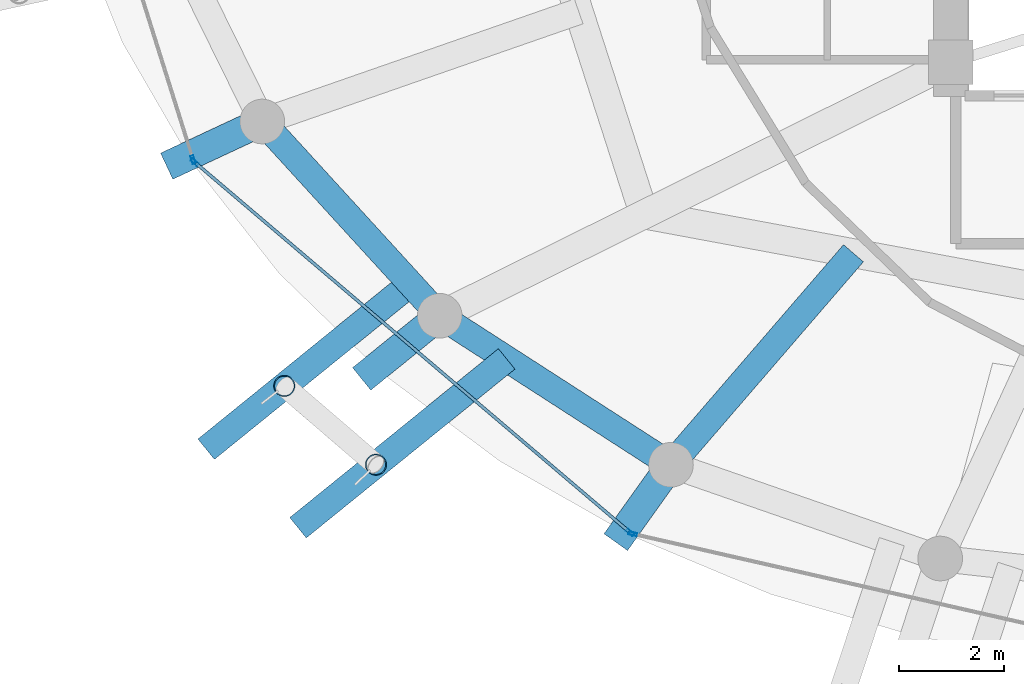
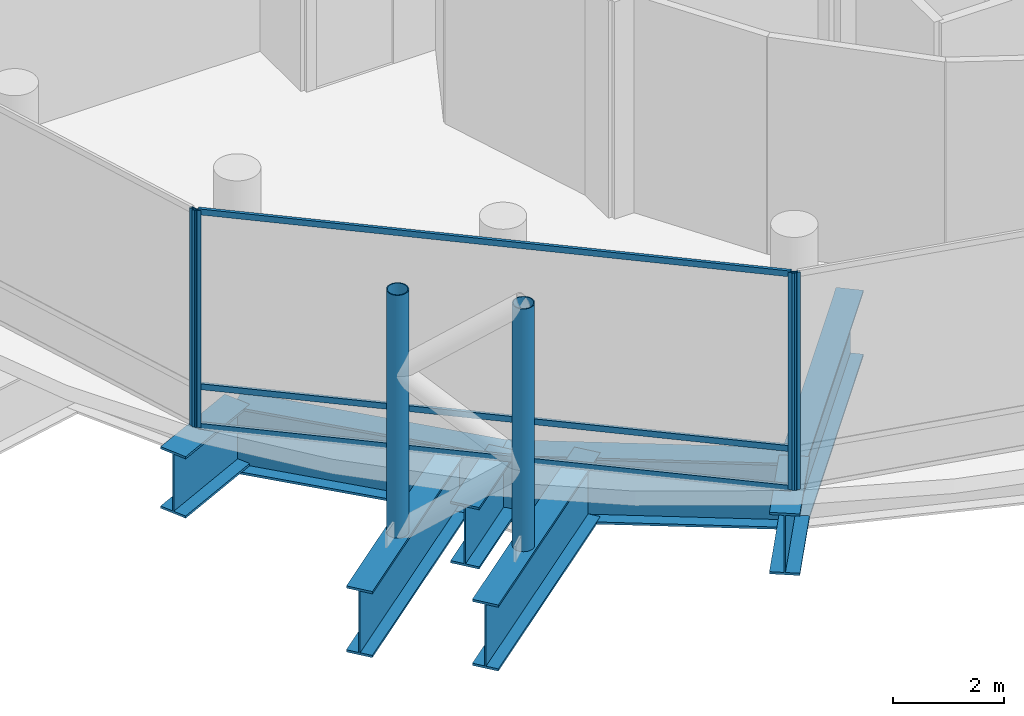
# One storey, part 2 of 31: 9 members, 8 beams, 3 elements without a shape of their own.
"""IFC4 building model written with IfcOpenShell, lengths in metres."""

from ifc_helpers import new_model, si_unit, direction, frame, origin, origin_2d, place, context, subcontext, project, spatial, hollow_rectangle, hollow_circle, i_section, extrude, material, layer, layer_set, material_profile, profile_set, type_object, element, aggregate, save


model = new_model("IFC4")

# Units and contexts
model_context = context("Model", 3, precision=1e-05, world=origin(), true_north=direction((0.0, 1.0)))
body_context = subcontext(model_context, "Body", "Model", "MODEL_VIEW")
ifc_project = project(units=[si_unit("LENGTHUNIT", "METRE"), si_unit("AREAUNIT", "SQUARE_METRE"), si_unit("VOLUMEUNIT", "CUBIC_METRE"), si_unit("PLANEANGLEUNIT", "RADIAN"), si_unit("MASSUNIT", "GRAM", prefix="KILO")], contexts=[model_context])

# Site, building, storey
site_placement = place(None, origin())
site = spatial("IfcSite", under=ifc_project, at=site_placement, CompositionType="ELEMENT")
building_placement = place(site_placement, origin())
building = spatial("IfcBuilding", under=site, at=building_placement, Name="Nuhasar Tower", CompositionType="ELEMENT")
storey_placement = place(building_placement, frame((0.0, 0.0, 203.14990234375)))
storey = spatial("IfcBuildingStorey", under=building, at=storey_placement, Name="L49", CompositionType="ELEMENT", Elevation=203.14990234375)

# Beams
ifc_material_1 = material(Name="Steel S460", Category="steel")
ifc_material_profile_1 = material_profile(ifc_material_1, i_section(OverallWidth=0.550048828125, OverallDepth=1.35009765625, WebThickness=0.028076171875, FlangeThickness=0.050048828125, at=origin_2d()), Name="PG1350X550")
ifc_profile_set_1 = profile_set([ifc_material_profile_1], Name="Steel S460")
beam_type_1 = type_object("IfcBeamType", Name="BM-XFER-PG1350", PredefinedType="USERDEFINED", material=ifc_profile_set_1)
beam_1_placement = place(storey_placement, frame((23.97412109375, 14.177978515625, -0.994873046875), z_axis=(-0.777328188004, -0.629095293366, 0.0), x_axis=(0.629095293366, -0.777328188004, 0.0)))
element("IfcBeam", 1, at=beam_1_placement, inside=storey, type_object=beam_type_1, Name="L49 Radial Step Transfer Girder 01", ObjectType="GIRDER", PredefinedType="USERDEFINED", context=body_context, shape_type="SweptSolid", body=[
    extrude(i_section(OverallWidth=0.550048828125, OverallDepth=1.35009765625, WebThickness=0.028076171875, FlangeThickness=0.050048828125, at=origin_2d()), origin(), (0.0, 0.0, 1.0), 1.91064453125),
])
beam_2_placement = place(storey_placement, frame((28.375, 11.341064453125, -0.994873046875), z_axis=(-0.580688888767, -0.814125552026, 0.0), x_axis=(0.814125552026, -0.580688888767, 0.0)))
element("IfcBeam", 2, at=beam_2_placement, inside=storey, type_object=beam_type_1, Name="L49 Outer Column Step Transfer Girder 17", ObjectType="GIRDER", PredefinedType="USERDEFINED", context=body_context, shape_type="SweptSolid", body=[
    extrude(i_section(OverallWidth=0.550048828125, OverallDepth=1.35009765625, WebThickness=0.028076171875, FlangeThickness=0.050048828125, at=origin_2d()), origin(), (0.0, 0.0, 1.0), 1.808349609375),
])
beam_3_placement = place(storey_placement, frame((20.596923828125, 17.875, -0.994873046875), z_axis=(-0.905934453989, -0.423417955542, 0.0), x_axis=(0.423417955542, -0.905934453989, 0.0)))
element("IfcBeam", 3, at=beam_3_placement, inside=storey, type_object=beam_type_1, Name="L49 Outer Column Step Transfer Girder 15", ObjectType="GIRDER", PredefinedType="USERDEFINED", context=body_context, shape_type="SweptSolid", body=[
    extrude(i_section(OverallWidth=0.550048828125, OverallDepth=1.35009765625, WebThickness=0.028076171875, FlangeThickness=0.050048828125, at=origin_2d()), origin(), (0.0, 0.0, 1.0), 2.0078125),
])
ifc_material_profile_2 = material_profile(ifc_material_1, i_section(OverallWidth=0.5, OverallDepth=1.449951171875, WebThickness=0.028076171875, FlangeThickness=0.050048828125, at=origin_2d()), Name="PG1450X500")
ifc_profile_set_2 = profile_set([ifc_material_profile_2], Name="Steel S460")
beam_type_2 = type_object("IfcBeamType", Name="BM-XFER-PG1450", PredefinedType="USERDEFINED", material=ifc_profile_set_2)
beam_4_placement = place(storey_placement, frame((20.596923828125, 17.875, -1.044921875), z_axis=(0.674449692975, -0.738320805373, 0.0), x_axis=(0.738320805373, 0.674449692975, 0.0)))
element("IfcBeam", 4, at=beam_4_placement, inside=storey, type_object=beam_type_2, Name="L49 Perimeter Ring Spandrel 15", ObjectType="GIRDER", PredefinedType="USERDEFINED", context=body_context, shape_type="SweptSolid", body=[
    extrude(i_section(OverallWidth=0.5, OverallDepth=1.449951171875, WebThickness=0.028076171875, FlangeThickness=0.050048828125, at=origin_2d()), origin(), (0.0, 0.0, 1.0), 5.00732421875),
])
beam_5_placement = place(storey_placement, frame((23.97412109375, 14.177978515625, -1.044921875), z_axis=(0.840502144969, -0.541808217272, 0.0), x_axis=(0.541808217272, 0.840502144969, 0.0)))
element("IfcBeam", 5, at=beam_5_placement, inside=storey, type_object=beam_type_2, Name="L49 Perimeter Ring Spandrel 16", ObjectType="GIRDER", PredefinedType="USERDEFINED", context=body_context, shape_type="SweptSolid", body=[
    extrude(i_section(OverallWidth=0.5, OverallDepth=1.449951171875, WebThickness=0.028076171875, FlangeThickness=0.050048828125, at=origin_2d()), origin(), (0.0, 0.0, 1.0), 5.236083984375),
])
beam_6_placement = place(storey_placement, frame((31.84912109375, 15.367919921875, -1.044921875), z_axis=(-0.653230160448, -0.757159400312, 0.0), x_axis=(0.757159400312, -0.653230160448, 0.0)))
element("IfcBeam", 6, at=beam_6_placement, inside=storey, type_object=beam_type_2, Name="L49 Inner Column Transfer Girder 17", ObjectType="GIRDER", PredefinedType="USERDEFINED", context=body_context, shape_type="SweptSolid", body=[
    extrude(i_section(OverallWidth=0.5, OverallDepth=1.449951171875, WebThickness=0.028076171875, FlangeThickness=0.050048828125, at=origin_2d()), origin(), (0.0, 0.0, 1.0), 5.318359375),
])
beam_7_placement = place(storey_placement, frame((23.41796875, 14.787109375, -1.044921875), z_axis=(-0.77714715128, -0.629318921738, 0.0), x_axis=(0.629318921738, -0.77714715128, 0.0)))
element("IfcBeam", 7, at=beam_7_placement, inside=storey, type_object=beam_type_2, Name="L49 Exoskeleton Step Transfer Girder 15", ObjectType="GIRDER", PredefinedType="USERDEFINED", context=body_context, shape_type="SweptSolid", body=[
    extrude(i_section(OverallWidth=0.5, OverallDepth=1.449951171875, WebThickness=0.028076171875, FlangeThickness=0.050048828125, at=origin_2d()), origin(), (0.0, 0.0, 1.0), 5.004150390625),
])
beam_8_placement = place(storey_placement, frame((25.248046875, 13.35693359375, -1.044921875), z_axis=(-0.777312754904, -0.629114362469, 0.0), x_axis=(0.629114362469, -0.777312754904, 0.0)))
element("IfcBeam", 8, at=beam_8_placement, inside=storey, type_object=beam_type_2, Name="L49 Exoskeleton Step Transfer Girder 16", ObjectType="GIRDER", PredefinedType="USERDEFINED", context=body_context, shape_type="SweptSolid", body=[
    extrude(i_section(OverallWidth=0.5, OverallDepth=1.449951171875, WebThickness=0.028076171875, FlangeThickness=0.050048828125, at=origin_2d()), origin(), (0.0, 0.0, 1.0), 5.108642578125),
])

# Curtain wall, member
ifc_material_2 = material(Name="Aluminium 6063-T6", Category="aluminium")
ifc_layer = layer(ifc_material_2, 0.239990234375)
ifc_layer_set = layer_set([ifc_layer], Name="Aluminium 6063-T6")
curtain_wall_type = type_object("IfcCurtainWallType", Name="CW-SKY-LBY", PredefinedType="NOTDEFINED", material=ifc_layer_set)
curtain_wall_1_placement = place(storey_placement, origin())
curtain_wall_1 = element("IfcCurtainWall", 9, at=curtain_wall_1_placement, inside=storey, type_object=curtain_wall_type, Name="L49 Unitised Curtain Wall 07", PredefinedType="NOTDEFINED")
ifc_material_profile_3 = material_profile(ifc_material_2, hollow_rectangle(XDim=0.06005859375, YDim=0.159912109375, WallThickness=0.0048828125, at=origin_2d()), Name="CWM-6")
ifc_profile_set_3 = profile_set([ifc_material_profile_3], Name="Aluminium 6063-T6")
member_type_1 = type_object("IfcMemberType", Name="CW-MUL-S6", PredefinedType="MULLION", material=ifc_profile_set_3)
member_1_placement = place(storey_placement, frame((19.280029296875, 17.148681640625, 0.0), z_axis=(0.0, 0.0, 1.0), x_axis=(0.95380429279, 0.30042864553, 0.0)))
member_1 = element("IfcMember", 10, at=member_1_placement, type_object=member_type_1, Name="CW-SL mullion 2", PredefinedType="MULLION", context=body_context, shape_type="SweptSolid", body=[
    extrude(hollow_rectangle(XDim=0.06005859375, YDim=0.159912109375, WallThickness=0.0048828125, at=origin_2d()), origin(), (0.0, 0.0, 1.0), 4.760009765625),
])
aggregate(curtain_wall_1, [member_1])

# Curtain wall, members
curtain_wall_2_placement = place(storey_placement, origin())
curtain_wall_2 = element("IfcCurtainWall", 11, at=curtain_wall_2_placement, inside=storey, type_object=curtain_wall_type, Name="L49 Unitised Curtain Wall 08", PredefinedType="NOTDEFINED")
member_2_placement = place(storey_placement, frame((19.311767578125, 17.1005859375, 0.0), z_axis=(0.0, 0.0, 1.0), x_axis=(0.64789521578, 0.761729472562, 0.0)))
member_2 = element("IfcMember", 12, at=member_2_placement, type_object=member_type_1, Name="CW-SL mullion 1", PredefinedType="MULLION", context=body_context, shape_type="SweptSolid", body=[
    extrude(hollow_rectangle(XDim=0.06005859375, YDim=0.159912109375, WallThickness=0.0048828125, at=origin_2d()), origin(), (0.0, 0.0, 1.0), 4.760009765625),
])
member_3_placement = place(storey_placement, frame((27.59716796875, 10.053466796875, 0.0), z_axis=(0.0, 0.0, 1.0), x_axis=(0.64789521578, 0.761729472562, 0.0)))
member_3 = element("IfcMember", 13, at=member_3_placement, type_object=member_type_1, Name="CW-SL mullion 2", PredefinedType="MULLION", context=body_context, shape_type="SweptSolid", body=[
    extrude(hollow_rectangle(XDim=0.06005859375, YDim=0.159912109375, WallThickness=0.0048828125, at=origin_2d()), origin(), (0.0, 0.0, 1.0), 4.760009765625),
])

# Curtain wall, member
curtain_wall_3_placement = place(storey_placement, origin())
curtain_wall_3 = element("IfcCurtainWall", 14, at=curtain_wall_3_placement, inside=storey, type_object=curtain_wall_type, Name="L49 Unitised Curtain Wall 09", PredefinedType="NOTDEFINED")
member_4_placement = place(storey_placement, frame((27.649169921875, 10.02734375, 0.0), z_axis=(0.0, 0.0, 1.0), x_axis=(0.222243176313, 0.974991266926, 0.0)))
member_4 = element("IfcMember", 15, at=member_4_placement, type_object=member_type_1, Name="CW-SL mullion 1", PredefinedType="MULLION", context=body_context, shape_type="SweptSolid", body=[
    extrude(hollow_rectangle(XDim=0.06005859375, YDim=0.159912109375, WallThickness=0.0048828125, at=origin_2d()), origin(), (0.0, 0.0, 1.0), 4.760009765625),
])
aggregate(curtain_wall_3, [member_4])

# Member
ifc_material_profile_4 = material_profile(ifc_material_2, hollow_rectangle(XDim=0.06005859375, YDim=0.1298828125, WallThickness=0.00439453125, at=origin_2d()), Name="CWT-6")
ifc_profile_set_4 = profile_set([ifc_material_profile_4], Name="Aluminium 6063-T6")
member_type_2 = type_object("IfcMemberType", Name="CW-TRN-S6", PredefinedType="USERDEFINED", material=ifc_profile_set_4)
member_5_placement = place(storey_placement, frame((19.334716796875, 17.0810546875, 0.030029296875), z_axis=(0.761723760695, -0.647901931154, 0.0), x_axis=(0.647901931154, 0.761723760695, 0.0)))
member_5 = element("IfcMember", 16, at=member_5_placement, type_object=member_type_2, Name="CW-SL transom 1.1", ObjectType="TRANSOM", PredefinedType="USERDEFINED", context=body_context, shape_type="SweptSolid", body=[
    extrude(hollow_rectangle(XDim=0.06005859375, YDim=0.1298828125, WallThickness=0.00439453125, at=origin_2d()), origin(), (0.0, 0.0, 1.0), 10.81689453125),
])

member_6_placement = place(storey_placement, frame((19.334716796875, 17.0810546875, 0.900146484375), z_axis=(0.761723760695, -0.647901931154, 0.0), x_axis=(0.647901931154, 0.761723760695, 0.0)))
member_6 = element("IfcMember", 17, at=member_6_placement, type_object=member_type_2, Name="CW-SL transom 1.2", ObjectType="TRANSOM", PredefinedType="USERDEFINED", context=body_context, shape_type="SweptSolid", body=[
    extrude(hollow_rectangle(XDim=0.06005859375, YDim=0.1298828125, WallThickness=0.00439453125, at=origin_2d()), origin(), (0.0, 0.0, 1.0), 10.81689453125),
])

member_7_placement = place(storey_placement, frame((19.334716796875, 17.0810546875, 4.72998046875), z_axis=(0.761723760695, -0.647901931154, 0.0), x_axis=(0.647901931154, 0.761723760695, 0.0)))
member_7 = element("IfcMember", 18, at=member_7_placement, type_object=member_type_2, Name="CW-SL transom 1.3", ObjectType="TRANSOM", PredefinedType="USERDEFINED", context=body_context, shape_type="SweptSolid", body=[
    extrude(hollow_rectangle(XDim=0.06005859375, YDim=0.1298828125, WallThickness=0.00439453125, at=origin_2d()), origin(), (0.0, 0.0, 1.0), 10.81689453125),
])

aggregate(curtain_wall_2, [member_2, member_3, member_5, member_6, member_7])

# Members
ifc_material_profile_5 = material_profile(ifc_material_1, hollow_circle(Radius=0.203125, WallThickness=0.01904296875, at=origin_2d()), Name="HSS406.4X19.1")
ifc_profile_set_5 = profile_set([ifc_material_profile_5], Name="Steel S460")
member_type_3 = type_object("IfcMemberType", Name="EXO-BRONZE-406", PredefinedType="BRACE", material=ifc_profile_set_5)
for number, where, z_axis, x_axis, name in (
    (19, (21.01611328125, 12.842041015625, -0.31982421875), (0.0, 0.0, 1.0), (1.0, 0.0, 0.0), "L49 Exoskeleton Chord Column EC-08A"),
    (20, (22.760009765625, 11.343017578125, -0.31982421875), (0.0, 0.0, 1.0), (1.0, 0.0, 0.0), "L49 Exoskeleton Chord Column EC-08B"),
):
    element("IfcMember", number, at=place(storey_placement, frame(where, z_axis=z_axis, x_axis=x_axis)), inside=storey, type_object=member_type_3, Name=name, PredefinedType="BRACE", context=body_context, shape_type="SweptSolid", body=[
        extrude(hollow_circle(Radius=0.203125, WallThickness=0.01904296875, at=origin_2d()), origin(), (0.0, 0.0, 1.0), 5.31982421875),
    ])

save(model, "model.ifc")
